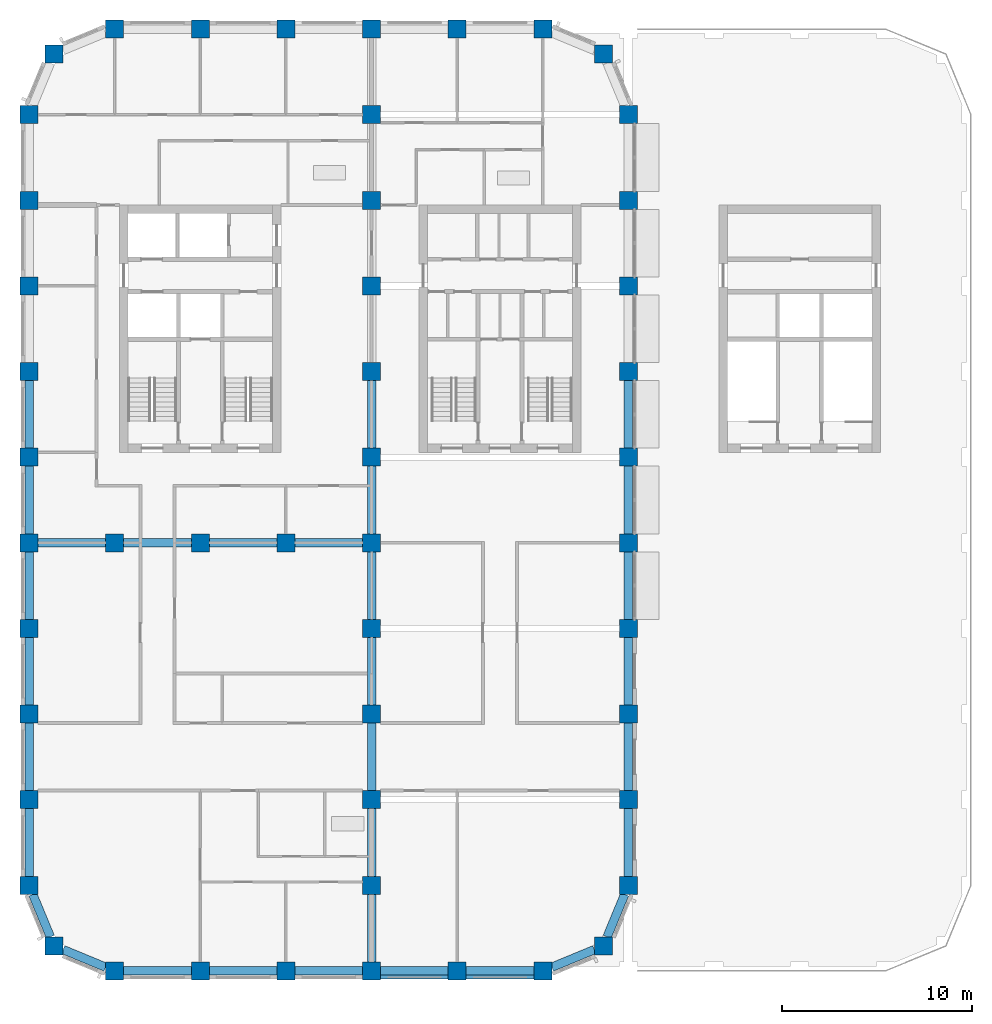
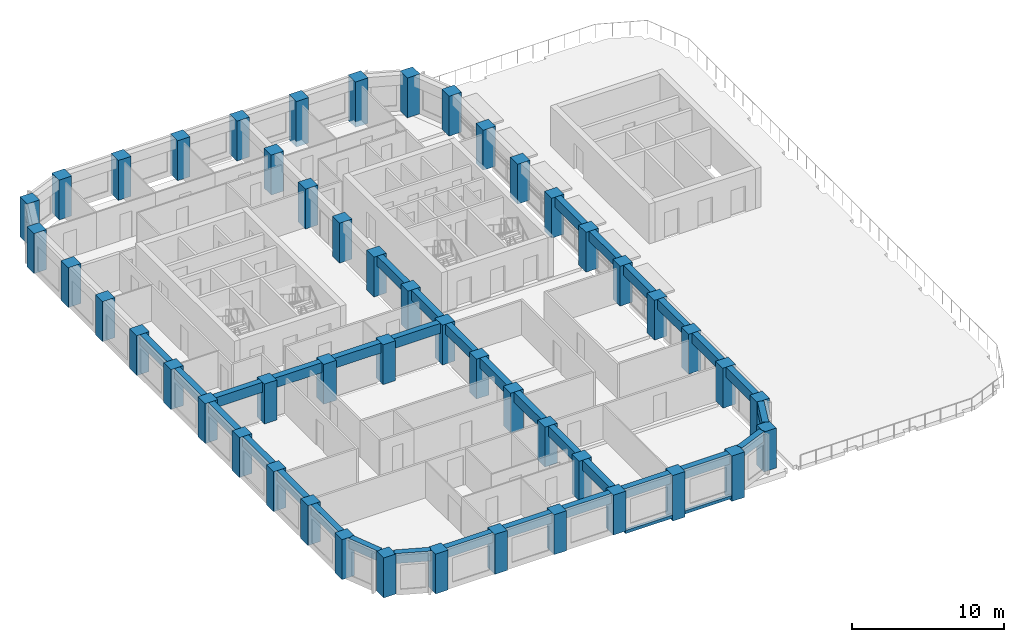
# One storey, part 1 of 15: 49 columns, 34 beams.
"""IFC4 building model written with IfcOpenShell, lengths in metres."""

from ifc_helpers import new_model, si_unit, direction, frame, origin, origin_2d, place, context, subcontext, project, spatial, rectangle, extrude, material, material_profile, profile_set, type_object, element, save


model = new_model("IFC4")

# Units and contexts
model_context = context("Model", 3, precision=1e-05, world=origin(), true_north=direction((0.0, 1.0)))
body_context = subcontext(model_context, "Body", "Model", "MODEL_VIEW")
ifc_project = project(units=[si_unit("LENGTHUNIT", "METRE"), si_unit("AREAUNIT", "SQUARE_METRE"), si_unit("VOLUMEUNIT", "CUBIC_METRE"), si_unit("PLANEANGLEUNIT", "RADIAN"), si_unit("MASSUNIT", "GRAM", prefix="KILO")], contexts=[model_context])

# Site, building, storey
site_placement = place(None, origin())
site = spatial("IfcSite", under=ifc_project, at=site_placement, CompositionType="ELEMENT")
building_placement = place(site_placement, origin())
building = spatial("IfcBuilding", under=site, at=building_placement, Name="Girih Gate Residences", CompositionType="ELEMENT")
storey_placement = place(building_placement, frame((0.0, 0.0, 176.300048828125)))
storey = spatial("IfcBuildingStorey", under=building, at=storey_placement, Name="L48", CompositionType="ELEMENT", Elevation=176.300048828125)

# Columns
ifc_material_1 = material(Name="Concrete C70/85", Category="concrete")
ifc_material_profile_1 = material_profile(ifc_material_1, rectangle(XDim=0.949951171875, YDim=0.949951171875, at=origin_2d()))
ifc_profile_set_1 = profile_set([ifc_material_profile_1], Name="Concrete C70/85")
column_type = type_object("IfcColumnType", Name="Pier RC 950x950 Concrete C70/85", PredefinedType="COLUMN", material=ifc_profile_set_1)
for number, where, z_axis, x_axis, name in (
    (1, (4.5, 0.0, 0.0), (0.0, 0.0, 1.0), (1.0, 0.0, 0.0), "Pier P2A L48"),
    (2, (9.0, 0.0, 0.0), (0.0, 0.0, 1.0), (1.0, 0.0, 0.0), "Pier P3A L48"),
    (3, (13.5, 0.0, 0.0), (0.0, 0.0, 1.0), (1.0, 0.0, 0.0), "Pier P4A L48"),
    (4, (18.0, 0.0, 0.0), (0.0, 0.0, 1.0), (1.0, 0.0, 0.0), "Pier P5A L48"),
):
    element("IfcColumn", number, at=place(storey_placement, frame(where, z_axis=z_axis, x_axis=x_axis)), inside=storey, type_object=column_type, Name=name, PredefinedType="COLUMN", context=body_context, shape_type="SweptSolid", body=[
        extrude(rectangle(XDim=0.949951171875, YDim=0.949951171875, at=origin_2d()), origin(), (0.0, 0.0, 1.0), 3.199951171875),
    ])
for number, where, z_axis, x_axis, name in (
    (5, (22.5, 0.0, -0.449951171875), (0.0, 0.0, 1.0), (1.0, 0.0, 0.0), "Pier P6A L48"),
    (6, (27.0, 0.0, -0.449951171875), (0.0, 0.0, 1.0), (1.0, 0.0, 0.0), "Pier P7A L48"),
):
    element("IfcColumn", number, at=place(storey_placement, frame(where, z_axis=z_axis, x_axis=x_axis)), inside=storey, type_object=column_type, Name=name, PredefinedType="COLUMN", context=body_context, shape_type="SweptSolid", body=[
        extrude(rectangle(XDim=0.949951171875, YDim=0.949951171875, at=origin_2d()), origin(), (0.0, 0.0, 1.0), 3.64990234375),
    ])
for number, where, z_axis, x_axis, name in (
    (7, (1.318115234375, 1.318115234375, 0.0), (0.0, 0.0, 1.0), (1.0, 0.0, 0.0), "Pier P1ANE L48"),
    (8, (30.181884765625, 1.318115234375, 0.0), (0.0, 0.0, 1.0), (1.0, 0.0, 0.0), "Pier P8ANW L48"),
    (9, (0.0, 4.5, 0.0), (0.0, 0.0, 1.0), (1.0, 0.0, 0.0), "Pier P1B L48"),
    (10, (18.0, 4.5, 0.0), (0.0, 0.0, 1.0), (1.0, 0.0, 0.0), "Pier P5B L48"),
    (11, (31.5, 4.5, 0.0), (0.0, 0.0, 1.0), (1.0, 0.0, 0.0), "Pier P8B L48"),
    (12, (0.0, 9.0, 0.0), (0.0, 0.0, 1.0), (1.0, 0.0, 0.0), "Pier P1C L48"),
    (13, (18.0, 9.0, 0.0), (0.0, 0.0, 1.0), (1.0, 0.0, 0.0), "Pier P5C L48"),
    (14, (31.5, 9.0, 0.0), (0.0, 0.0, 1.0), (1.0, 0.0, 0.0), "Pier P8C L48"),
    (15, (0.0, 13.5, 0.0), (0.0, 0.0, 1.0), (1.0, 0.0, 0.0), "Pier P1D L48"),
    (16, (18.0, 13.5, 0.0), (0.0, 0.0, 1.0), (1.0, 0.0, 0.0), "Pier P5D L48"),
    (17, (31.5, 13.5, 0.0), (0.0, 0.0, 1.0), (1.0, 0.0, 0.0), "Pier P8D L48"),
    (18, (0.0, 18.0, 0.0), (0.0, 0.0, 1.0), (1.0, 0.0, 0.0), "Pier P1E L48"),
    (19, (18.0, 18.0, 0.0), (0.0, 0.0, 1.0), (1.0, 0.0, 0.0), "Pier P5E L48"),
    (20, (31.5, 18.0, 0.0), (0.0, 0.0, 1.0), (1.0, 0.0, 0.0), "Pier P8E L48"),
    (21, (0.0, 22.5, 0.0), (0.0, 0.0, 1.0), (1.0, 0.0, 0.0), "Pier P1F L48"),
    (22, (4.5, 22.5, 0.0), (0.0, 0.0, 1.0), (1.0, 0.0, 0.0), "Pier P2F L48"),
    (23, (9.0, 22.5, 0.0), (0.0, 0.0, 1.0), (1.0, 0.0, 0.0), "Pier P3F L48"),
    (24, (13.5, 22.5, 0.0), (0.0, 0.0, 1.0), (1.0, 0.0, 0.0), "Pier P4F L48"),
    (25, (18.0, 22.5, 0.0), (0.0, 0.0, 1.0), (1.0, 0.0, 0.0), "Pier P5F L48"),
    (26, (31.5, 22.5, 0.0), (0.0, 0.0, 1.0), (1.0, 0.0, 0.0), "Pier P8F L48"),
    (27, (0.0, 27.0, 0.0), (0.0, 0.0, 1.0), (1.0, 0.0, 0.0), "Pier P1G L48"),
    (28, (18.0, 27.0, 0.0), (0.0, 0.0, 1.0), (1.0, 0.0, 0.0), "Pier P5G L48"),
    (29, (31.5, 27.0, 0.0), (0.0, 0.0, 1.0), (1.0, 0.0, 0.0), "Pier P8G L48"),
    (30, (0.0, 31.5, 0.0), (0.0, 0.0, 1.0), (1.0, 0.0, 0.0), "Pier P1H L48"),
    (31, (18.0, 31.5, 0.0), (0.0, 0.0, 1.0), (1.0, 0.0, 0.0), "Pier P5H L48"),
    (32, (31.5, 31.5, 0.0), (0.0, 0.0, 1.0), (1.0, 0.0, 0.0), "Pier P8H L48"),
    (33, (0.0, 36.0, 0.0), (0.0, 0.0, 1.0), (1.0, 0.0, 0.0), "Pier P1I L48"),
    (34, (18.0, 36.0, 0.0), (0.0, 0.0, 1.0), (1.0, 0.0, 0.0), "Pier P5I L48"),
    (35, (31.5, 36.0, 0.0), (0.0, 0.0, 1.0), (1.0, 0.0, 0.0), "Pier P8I L48"),
    (36, (0.0, 40.5, 0.0), (0.0, 0.0, 1.0), (1.0, 0.0, 0.0), "Pier P1J L48"),
    (37, (18.0, 40.5, 0.0), (0.0, 0.0, 1.0), (1.0, 0.0, 0.0), "Pier P5J L48"),
    (38, (31.5, 40.5, 0.0), (0.0, 0.0, 1.0), (1.0, 0.0, 0.0), "Pier P8J L48"),
    (39, (0.0, 45.0, 0.0), (0.0, 0.0, 1.0), (1.0, 0.0, 0.0), "Pier P1K L48"),
    (40, (18.0, 45.0, 0.0), (0.0, 0.0, 1.0), (1.0, 0.0, 0.0), "Pier P5K L48"),
    (41, (31.5, 45.0, 0.0), (0.0, 0.0, 1.0), (1.0, 0.0, 0.0), "Pier P8K L48"),
    (42, (1.318115234375, 48.181884765625, 0.0), (0.0, 0.0, 1.0), (1.0, 0.0, 0.0), "Pier P1LSE L48"),
    (43, (30.181884765625, 48.181884765625, 0.0), (0.0, 0.0, 1.0), (1.0, 0.0, 0.0), "Pier P8LSW L48"),
    (44, (4.5, 49.5, 0.0), (0.0, 0.0, 1.0), (1.0, 0.0, 0.0), "Pier P2L L48"),
    (45, (9.0, 49.5, 0.0), (0.0, 0.0, 1.0), (1.0, 0.0, 0.0), "Pier P3L L48"),
    (46, (13.5, 49.5, 0.0), (0.0, 0.0, 1.0), (1.0, 0.0, 0.0), "Pier P4L L48"),
    (47, (18.0, 49.5, 0.0), (0.0, 0.0, 1.0), (1.0, 0.0, 0.0), "Pier P5L L48"),
):
    element("IfcColumn", number, at=place(storey_placement, frame(where, z_axis=z_axis, x_axis=x_axis)), inside=storey, type_object=column_type, Name=name, PredefinedType="COLUMN", context=body_context, shape_type="SweptSolid", body=[
        extrude(rectangle(XDim=0.949951171875, YDim=0.949951171875, at=origin_2d()), origin(), (0.0, 0.0, 1.0), 3.199951171875),
    ])
for number, where, z_axis, x_axis, name in (
    (48, (22.5, 49.5, -0.449951171875), (0.0, 0.0, 1.0), (1.0, 0.0, 0.0), "Pier P6L L48"),
    (49, (27.0, 49.5, -0.449951171875), (0.0, 0.0, 1.0), (1.0, 0.0, 0.0), "Pier P7L L48"),
):
    element("IfcColumn", number, at=place(storey_placement, frame(where, z_axis=z_axis, x_axis=x_axis)), inside=storey, type_object=column_type, Name=name, PredefinedType="COLUMN", context=body_context, shape_type="SweptSolid", body=[
        extrude(rectangle(XDim=0.949951171875, YDim=0.949951171875, at=origin_2d()), origin(), (0.0, 0.0, 1.0), 3.64990234375),
    ])

# Beams
ifc_material_2 = material(Name="Concrete C50/60", Category="concrete")
ifc_material_profile_2 = material_profile(ifc_material_2, rectangle(XDim=0.199951171875, YDim=0.25, at=origin_2d()))
ifc_profile_set_2 = profile_set([ifc_material_profile_2], Name="Concrete C50/60")
beam_type_1 = type_object("IfcBeamType", Name="Facade ledge RC 200x250 Concrete C50/60", PredefinedType="BEAM", material=ifc_profile_set_2)
for number, where, z_axis, x_axis, name in (
    (50, (18.47509765625, -0.324951171875, -0.125), (1.0, 0.0, 0.0), (0.0, 1.0, 0.0), "Facade ledge S0045_0000.3 L48"),
    (51, (22.97509765625, -0.324951171875, -0.125), (1.0, 0.0, 0.0), (0.0, 1.0, 0.0), "Facade ledge S0045_0000.4 L48"),
):
    element("IfcBeam", number, at=place(storey_placement, frame(where, z_axis=z_axis, x_axis=x_axis)), inside=storey, type_object=beam_type_1, Name=name, PredefinedType="BEAM", context=body_context, shape_type="SweptSolid", body=[
        extrude(rectangle(XDim=0.199951171875, YDim=0.25, at=origin_2d()), origin(), (0.0, 0.0, 1.0), 3.5498046875),
    ])
ifc_material_3 = material(Name="Concrete C60/75", Category="concrete")
ifc_material_profile_3 = material_profile(ifc_material_3, rectangle(XDim=0.449951171875, YDim=0.800048828125, at=origin_2d()))
ifc_profile_set_3 = profile_set([ifc_material_profile_3], Name="Concrete C60/75")
beam_type_2 = type_object("IfcBeamType", Name="Spandrel girder RC 450x800 Concrete C60/75", PredefinedType="BEAM", material=ifc_profile_set_3)
for number, where, z_axis, x_axis, name in (
    (52, (27.47509765625, 0.19677734375, 2.800048828125), (0.923870256451, 0.382705825988, 0.0), (-0.382705825988, 0.923870256451, 0.0), "Spandrel girder SP-P7A-P8ANW L48"),
    (53, (30.378662109375, 1.79296875, 2.800048828125), (0.382705825988, 0.923870256451, 0.0), (-0.923870256451, 0.382705825988, 0.0), "Spandrel girder SP-P8ANW-P8B L48"),
):
    element("IfcBeam", number, at=place(storey_placement, frame(where, z_axis=z_axis, x_axis=x_axis)), inside=storey, type_object=beam_type_2, Name=name, PredefinedType="BEAM", context=body_context, shape_type="SweptSolid", body=[
        extrude(rectangle(XDim=0.449951171875, YDim=0.800048828125, at=origin_2d()), origin(), (0.0, 0.0, 1.0), 2.415771484375),
    ])
for number, where, z_axis, x_axis, name in (
    (54, (31.5, 4.97509765625, 2.800048828125), (0.0, 1.0, 0.0), (-1.0, 0.0, 0.0), "Spandrel girder SP-P8B-P8C L48"),
    (55, (31.5, 9.47509765625, 2.800048828125), (0.0, 1.0, 0.0), (-1.0, 0.0, 0.0), "Spandrel girder SP-P8C-P8D L48"),
    (56, (31.5, 13.97509765625, 2.800048828125), (0.0, 1.0, 0.0), (-1.0, 0.0, 0.0), "Spandrel girder SP-P8D-P8E L48"),
    (57, (31.5, 18.47509765625, 2.800048828125), (0.0, 1.0, 0.0), (-1.0, 0.0, 0.0), "Spandrel girder SP-P8E-P8F L48"),
    (58, (31.5, 22.97509765625, 2.800048828125), (0.0, 1.0, 0.0), (-1.0, 0.0, 0.0), "Spandrel girder SP-P8F-P8G L48"),
    (59, (31.5, 27.47509765625, 2.800048828125), (0.0, 1.0, 0.0), (-1.0, 0.0, 0.0), "Spandrel girder SP-P8G-P8H L48"),
    (60, (0.0, 31.02490234375, 2.800048828125), (0.0, -1.0, 0.0), (1.0, 0.0, 0.0), "Spandrel girder SP-P1H-P1G L48"),
    (61, (0.0, 26.52490234375, 2.800048828125), (0.0, -1.0, 0.0), (1.0, 0.0, 0.0), "Spandrel girder SP-P1G-P1F L48"),
    (62, (0.0, 22.02490234375, 2.800048828125), (0.0, -1.0, 0.0), (1.0, 0.0, 0.0), "Spandrel girder SP-P1F-P1E L48"),
    (63, (0.0, 17.52490234375, 2.800048828125), (0.0, -1.0, 0.0), (1.0, 0.0, 0.0), "Spandrel girder SP-P1E-P1D L48"),
    (64, (0.0, 13.02490234375, 2.800048828125), (0.0, -1.0, 0.0), (1.0, 0.0, 0.0), "Spandrel girder SP-P1D-P1C L48"),
    (65, (0.0, 8.52490234375, 2.800048828125), (0.0, -1.0, 0.0), (1.0, 0.0, 0.0), "Spandrel girder SP-P1C-P1B L48"),
):
    element("IfcBeam", number, at=place(storey_placement, frame(where, z_axis=z_axis, x_axis=x_axis)), inside=storey, type_object=beam_type_2, Name=name, PredefinedType="BEAM", context=body_context, shape_type="SweptSolid", body=[
        extrude(rectangle(XDim=0.449951171875, YDim=0.800048828125, at=origin_2d()), origin(), (0.0, 0.0, 1.0), 3.5498046875),
    ])
for number, where, z_axis, x_axis, name in (
    (66, (0.19677734375, 4.02490234375, 2.800048828125), (0.382705825988, -0.923870256451, 0.0), (0.923870256451, 0.382705825988, 0.0), "Spandrel girder SP-P1B-P1ANE L48"),
    (67, (1.79296875, 1.121337890625, 2.800048828125), (0.923870256451, -0.382705825988, 0.0), (0.382705825988, 0.923870256451, 0.0), "Spandrel girder SP-P1ANE-P2A L48"),
):
    element("IfcBeam", number, at=place(storey_placement, frame(where, z_axis=z_axis, x_axis=x_axis)), inside=storey, type_object=beam_type_2, Name=name, PredefinedType="BEAM", context=body_context, shape_type="SweptSolid", body=[
        extrude(rectangle(XDim=0.449951171875, YDim=0.800048828125, at=origin_2d()), origin(), (0.0, 0.0, 1.0), 2.415771484375),
    ])
for number, where, z_axis, x_axis, name in (
    (68, (4.97509765625, 0.0, 2.800048828125), (1.0, 0.0, 0.0), (0.0, 1.0, 0.0), "Spandrel girder SP-P2A-P3A L48"),
    (69, (9.47509765625, 0.0, 2.800048828125), (1.0, 0.0, 0.0), (0.0, 1.0, 0.0), "Spandrel girder SP-P3A-P4A L48"),
    (70, (13.97509765625, 0.0, 2.800048828125), (1.0, 0.0, 0.0), (0.0, 1.0, 0.0), "Spandrel girder SP-P4A-P5A L48"),
    (71, (18.47509765625, 0.0, 2.800048828125), (1.0, 0.0, 0.0), (0.0, 1.0, 0.0), "Spandrel girder SP-P5A-P6A L48"),
    (72, (22.97509765625, 0.0, 2.800048828125), (1.0, 0.0, 0.0), (0.0, 1.0, 0.0), "Spandrel girder SP-P6A-P7A L48"),
    (73, (18.0, 0.47509765625, 2.800048828125), (0.0, 1.0, 0.0), (-1.0, 0.0, 0.0), "Spandrel girder SP-P5A-P5B L48"),
    (74, (18.0, 4.97509765625, 2.800048828125), (0.0, 1.0, 0.0), (-1.0, 0.0, 0.0), "Spandrel girder SP-P5B-P5C L48"),
    (75, (18.0, 9.47509765625, 2.800048828125), (0.0, 1.0, 0.0), (-1.0, 0.0, 0.0), "Spandrel girder SP-P5C-P5D L48"),
    (76, (18.0, 13.97509765625, 2.800048828125), (0.0, 1.0, 0.0), (-1.0, 0.0, 0.0), "Spandrel girder SP-P5D-P5E L48"),
    (77, (18.0, 18.47509765625, 2.800048828125), (0.0, 1.0, 0.0), (-1.0, 0.0, 0.0), "Spandrel girder SP-P5E-P5F L48"),
    (78, (18.0, 22.97509765625, 2.800048828125), (0.0, 1.0, 0.0), (-1.0, 0.0, 0.0), "Spandrel girder SP-P5F-P5G L48"),
    (79, (18.0, 27.47509765625, 2.800048828125), (0.0, 1.0, 0.0), (-1.0, 0.0, 0.0), "Spandrel girder SP-P5G-P5H L48"),
    (80, (0.47509765625, 22.5, 2.800048828125), (1.0, 0.0, 0.0), (0.0, 1.0, 0.0), "Spandrel girder SP-P1F-P2F L48"),
    (81, (4.97509765625, 22.5, 2.800048828125), (1.0, 0.0, 0.0), (0.0, 1.0, 0.0), "Spandrel girder SP-P2F-P3F L48"),
    (82, (9.47509765625, 22.5, 2.800048828125), (1.0, 0.0, 0.0), (0.0, 1.0, 0.0), "Spandrel girder SP-P3F-P4F L48"),
    (83, (13.97509765625, 22.5, 2.800048828125), (1.0, 0.0, 0.0), (0.0, 1.0, 0.0), "Spandrel girder SP-P4F-P5F L48"),
):
    element("IfcBeam", number, at=place(storey_placement, frame(where, z_axis=z_axis, x_axis=x_axis)), inside=storey, type_object=beam_type_2, Name=name, PredefinedType="BEAM", context=body_context, shape_type="SweptSolid", body=[
        extrude(rectangle(XDim=0.449951171875, YDim=0.800048828125, at=origin_2d()), origin(), (0.0, 0.0, 1.0), 3.5498046875),
    ])

save(model, "model.ifc")
